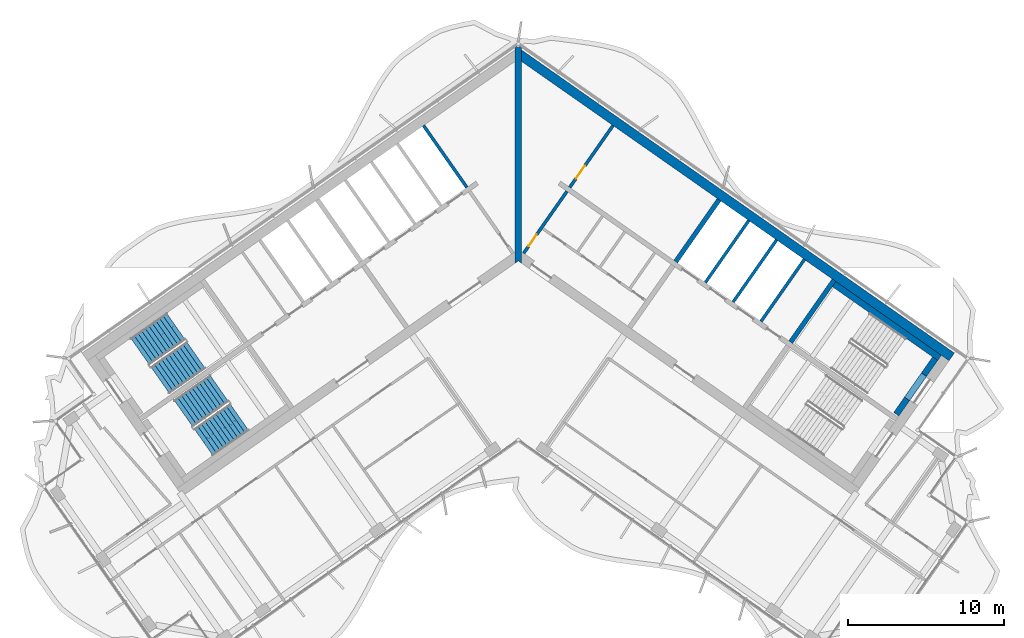
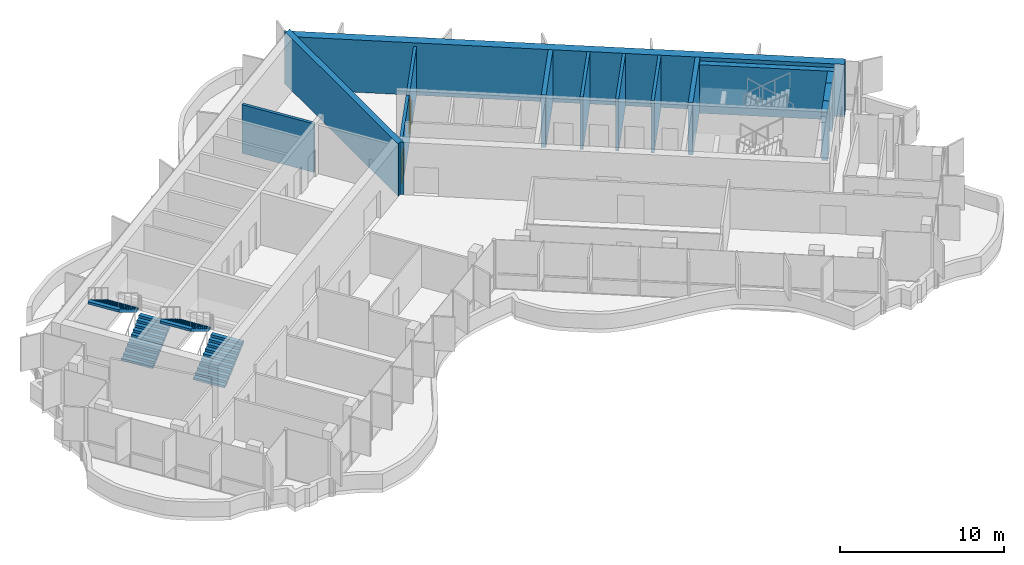
# One storey, part 11 of 18: 14 walls, 4 stair flights, 2 doors, 2 openings, 2 elements without a shape of their own.
"""IFC4 building model written with IfcOpenShell, lengths in metres."""

import ifcopenshell
import ifcopenshell.guid

model = None  # the IFC model being written
_history = None  # IfcOwnerHistory: only IFC2X3 demands one
_inside = {}  # id of a spatial element -> (the spatial element, [elements in it])
_under = {}  # id of a project, library or spatial element -> (it, [spatial elements below it])
_declared = {}  # id of a project -> (the project, [libraries it declares])
_typed = {}  # id of a type object -> (the type object, [elements of that type])
_made_of = {}  # id of a material, layer set ... -> (it, [elements and type objects made of it])


def new_model(schema):
    """Start an empty IFC model of exactly this schema.

    Asked for "IFC4X3", IfcOpenShell would pick the latest addendum, in which some entities
    have other attributes; the version numbers below select the first issue.
    IFC2X3 requires an IfcOwnerHistory on every rooted entity: one is made here for all.
    """
    global model, _history
    if schema == "IFC4X3":
        model = ifcopenshell.file(schema_version=(4, 3, 0, 0))
    else:
        model = ifcopenshell.file(schema=schema)
    _inside.clear()
    _under.clear()
    _declared.clear()
    _typed.clear()
    _made_of.clear()
    _history = None
    if model.schema == "IFC2X3":
        org = make("IfcOrganization", Name="unknown")
        user = make(
            "IfcPersonAndOrganization",
            ThePerson=make("IfcPerson", FamilyName="unknown"),
            TheOrganization=org,
        )
        app = make(
            "IfcApplication",
            ApplicationDeveloper=org,
            Version="unknown",
            ApplicationFullName="unknown",
            ApplicationIdentifier="unknown",
        )
        _history = make(
            "IfcOwnerHistory",
            OwningUser=user,
            OwningApplication=app,
            ChangeAction="ADDED",
            CreationDate=0,
        )
    return model


def make(cls, **values):
    """One entity of the class cls with the attributes given. An attribute that is None is left unset."""
    return model.create_entity(
        cls, **{name: value for name, value in values.items() if value is not None}
    )


def rooted(cls, **values):
    """An entity with a GlobalId (a new one), such as an element, a storey or a relation."""
    return make(cls, GlobalId=ifcopenshell.guid.new(), OwnerHistory=_history, **values)


def si_unit(unit_type, name, prefix=None):
    """IfcSIUnit, for example si_unit("LENGTHUNIT", "METRE", prefix="MILLI")."""
    return make("IfcSIUnit", UnitType=unit_type, Prefix=prefix, Name=name)


def assignment(units):
    """IfcUnitAssignment: the units of a project."""
    return None if units is None else make("IfcUnitAssignment", Units=units)


def point(xyz):
    """IfcCartesianPoint."""
    return None if xyz is None else make("IfcCartesianPoint", Coordinates=xyz)


def direction(xyz):
    """IfcDirection."""
    return None if xyz is None else make("IfcDirection", DirectionRatios=xyz)


def frame(location, z_axis=None, x_axis=None):
    """IfcAxis2Placement3D, a coordinate frame: its origin and axes. An axis left out is left unset."""
    return make(
        "IfcAxis2Placement3D",
        Location=point(location),
        Axis=direction(z_axis),
        RefDirection=direction(x_axis),
    )


def frame_2d(location, x_axis=None):
    """IfcAxis2Placement2D, a coordinate frame in the plane: its origin and x axis."""
    return make(
        "IfcAxis2Placement2D", Location=point(location), RefDirection=direction(x_axis)
    )


def origin():
    """The frame at (0, 0, 0) with its axes left unset."""
    return frame((0.0, 0.0, 0.0))


def place(relative_to, where):
    """IfcLocalPlacement: puts the frame where relative to a parent placement (None: the world)."""
    return make(
        "IfcLocalPlacement", PlacementRelTo=relative_to, RelativePlacement=where
    )


def context(
    kind, dimensions, precision=None, world=None, true_north=None, identifier=None
):
    """IfcGeometricRepresentationContext, for example the 3D "Model" context."""
    return make(
        "IfcGeometricRepresentationContext",
        ContextIdentifier=identifier,
        ContextType=kind,
        CoordinateSpaceDimension=dimensions,
        Precision=precision,
        WorldCoordinateSystem=world,
        TrueNorth=true_north,
    )


def subcontext(parent, identifier, kind, view, scale=None):
    """IfcGeometricRepresentationSubContext, for example "Body" below "Model"."""
    return make(
        "IfcGeometricRepresentationSubContext",
        ContextIdentifier=identifier,
        ContextType=kind,
        ParentContext=parent,
        TargetScale=scale,
        TargetView=view,
    )


def project(units=None, contexts=None):
    """IfcProject with its units and contexts."""
    return rooted(
        "IfcProject",
        Name="project",
        RepresentationContexts=contexts,
        UnitsInContext=assignment(units),
    )


def spatial(cls, under=None, at=None, **own):
    """A site, building, storey or space (cls), placed at a placement, below another one or the project."""
    s = rooted(cls, ObjectPlacement=at, **own)
    if under is not None:
        _under.setdefault(under.id(), (under, []))[1].append(s)
    return s


def polyline(points):
    """IfcPolyline through the points."""
    return make("IfcPolyline", Points=[point(p) for p in points])


def profile(cls, at=None, kind="AREA", **sizes):
    """A parametric profile (cls). Its sizes go by their IFC names, for example OverallWidth=200.0."""
    return make(cls, ProfileType=kind, Position=at, **sizes)


def rectangle(**sizes):
    """IfcRectangleProfileDef."""
    return profile("IfcRectangleProfileDef", **sizes)


def outline(outer, holes=None, kind="AREA"):
    """IfcArbitraryClosedProfileDef: a profile drawn as a closed curve; with holes, ...WithVoids."""
    if holes is None:
        return make("IfcArbitraryClosedProfileDef", ProfileType=kind, OuterCurve=outer)
    return make(
        "IfcArbitraryProfileDefWithVoids",
        ProfileType=kind,
        OuterCurve=outer,
        InnerCurves=holes,
    )


def extrude(swept, where, along, depth):
    """IfcExtrudedAreaSolid: the profile swept, set in the frame where, extruded along a direction by depth."""
    return make(
        "IfcExtrudedAreaSolid",
        SweptArea=swept,
        Position=where,
        ExtrudedDirection=direction(along),
        Depth=depth,
    )


def shape(context_of_items, identifier, shape_type, items):
    """IfcShapeRepresentation: the items that make up one representation, for example the "Body"."""
    return make(
        "IfcShapeRepresentation",
        ContextOfItems=context_of_items,
        RepresentationIdentifier=identifier,
        RepresentationType=shape_type,
        Items=items,
    )


def material(Name=None, Category=None):
    """IfcMaterial."""
    return make("IfcMaterial", Name=Name, Category=Category)


def layer(
    of_material, thickness, ventilated=None, Name=None, Category=None, Priority=None
):
    """IfcMaterialLayer: one layer of a wall or slab, of a material (None: an air gap)."""
    return make(
        "IfcMaterialLayer",
        Material=of_material,
        LayerThickness=thickness,
        IsVentilated=ventilated,
        Name=Name,
        Category=Category,
        Priority=Priority,
    )


def layer_set(layers, Name=None):
    """IfcMaterialLayerSet."""
    return make("IfcMaterialLayerSet", MaterialLayers=layers, LayerSetName=Name)


def made_of(thing, what):
    """Note that an element or type object is made of a material, layer set ...; save() writes the relation."""
    if what is not None:
        _made_of.setdefault(what.id(), (what, []))[1].append(thing)
    return thing


def type_object(cls, material=None, **own):
    """A type object (cls), such as IfcWallType, which elements share."""
    return made_of(rooted(cls, **own), material)


def element(
    cls,
    number,
    at=None,
    inside=None,
    cuts=None,
    type_object=None,
    material=None,
    context=None,
    identifier="Body",
    shape_type=None,
    held_by="IfcProductDefinitionShape",
    body=None,
    shapes=None,
    **own,
):
    """One element of the class cls, such as IfcWall. Its Tag is "e" and its number.

    at: its placement. inside: the storey or other place that contains it. cuts: it is an
    opening in that element (IfcRelVoidsElement). A single representation is given by context,
    identifier, shape_type and body (its items); several are given by shapes. held_by: the class
    of the entity that holds the representations. save() writes the other relations.
    """
    e = rooted(cls, Tag="e%d" % number, ObjectPlacement=at, **own)
    if body is not None:
        shapes = [shape(context, identifier, shape_type, body)]
    if shapes is not None:
        e.Representation = make(held_by, Representations=shapes)
    if inside is not None:
        _inside.setdefault(inside.id(), (inside, []))[1].append(e)
    if cuts is not None:
        rooted(
            "IfcRelVoidsElement", RelatingBuildingElement=cuts, RelatedOpeningElement=e
        )
    if type_object is not None:
        _typed.setdefault(type_object.id(), (type_object, []))[1].append(e)
    return made_of(e, material)


def fill(opening, filler):
    """IfcRelFillsElement: the door or window that sits in an opening."""
    return rooted(
        "IfcRelFillsElement",
        RelatingOpeningElement=opening,
        RelatedBuildingElement=filler,
    )


def aggregate(whole, parts):
    """IfcRelAggregates: a whole, such as a stair, and the parts it consists of."""
    return rooted("IfcRelAggregates", RelatingObject=whole, RelatedObjects=parts)


def save(model, path):
    """Write the relations noted so far, then the file.

    IfcRelAggregates (storeys below a building ...), IfcRelContainedInSpatialStructure (elements
    in a storey), IfcRelDefinesByType, IfcRelAssociatesMaterial and IfcRelDeclares: one each for
    every whole, place, type object, material and project.
    """
    for whole, parts in _under.values():
        aggregate(whole, parts)
    for where, things in _inside.values():
        rooted(
            "IfcRelContainedInSpatialStructure",
            RelatedElements=things,
            RelatingStructure=where,
        )
    for kind, things in _typed.values():
        rooted("IfcRelDefinesByType", RelatedObjects=things, RelatingType=kind)
    for what, things in _made_of.values():
        rooted("IfcRelAssociatesMaterial", RelatedObjects=things, RelatingMaterial=what)
    for by, libraries in _declared.values():
        rooted("IfcRelDeclares", RelatingContext=by, RelatedDefinitions=libraries)
    model.write(path)


model = new_model("IFC4")

# Units and contexts
model_context = context("Model", 3, precision=1e-05, world=origin(), true_north=direction((0.0, 1.0)))
body_context = subcontext(model_context, "Body", "Model", "MODEL_VIEW")
ifc_project = project(units=[si_unit("LENGTHUNIT", "METRE"), si_unit("AREAUNIT", "SQUARE_METRE"), si_unit("VOLUMEUNIT", "CUBIC_METRE"), si_unit("PLANEANGLEUNIT", "RADIAN"), si_unit("MASSUNIT", "GRAM", prefix="KILO")], contexts=[model_context])

# Site, building, storey
site_placement = place(None, origin())
site = spatial("IfcSite", under=ifc_project, at=site_placement, CompositionType="ELEMENT")
building_placement = place(site_placement, origin())
building = spatial("IfcBuilding", under=site, at=building_placement, Name="Tel Ilan Convention Tower", CompositionType="ELEMENT")
storey_placement = place(building_placement, frame((0.0, 0.0, 299.5)))
storey = spatial("IfcBuildingStorey", under=building, at=storey_placement, Name="L71", CompositionType="ELEMENT", Elevation=299.5)

# Wall
ifc_material_1 = material(Name="Concrete C30/37", Category="concrete")
ifc_layer_1 = layer(ifc_material_1, 0.199951171875)
ifc_layer_set_1 = layer_set([ifc_layer_1], Name="Core Service Room Wall 200 mm C30/37")
wall_type_1 = type_object("IfcWallType", Name="Core Service Room Wall 200 mm C30/37", PredefinedType="SOLIDWALL", material=ifc_layer_set_1)
wall_1_placement = place(storey_placement, frame((-3.2978515625, 3.489501953125, 0.0), z_axis=(0.0, 0.0, 1.0), x_axis=(-0.573560315113, 0.819163332265, 0.0)))
element("IfcWall", 1, at=wall_1_placement, inside=storey, type_object=wall_type_1, Name="L71 core wall apex-W-b", PredefinedType="SOLIDWALL", context=body_context, shape_type="SweptSolid", body=[
    extrude(rectangle(XDim=4.849853515625, YDim=0.199951171875, at=frame_2d((2.4248046875, 0.0))), origin(), (0.0, 0.0, 1.0), 3.6201171875),
])

# Wall, opening, door
wall_2_placement = place(storey_placement, frame((0.343994140625, -0.729248046875, 0.0), z_axis=(0.0, 0.0, 1.0), x_axis=(0.573560315113, 0.819163332265, 0.0)))
wall_2 = element("IfcWall", 2, at=wall_2_placement, inside=storey, type_object=wall_type_1, Name="L71 core wall apex-E", PredefinedType="SOLIDWALL", context=body_context, shape_type="SweptSolid", body=[
    extrude(rectangle(XDim=4.849853515625, YDim=0.199951171875, at=frame_2d((2.4248046875, 0.0))), origin(), (0.0, 0.0, 1.0), 3.6201171875),
])
opening_1_placement = place(wall_2_placement, frame((0.550048828125, 0.0, 0.0)))
opening_1 = element("IfcOpeningElement", 3, at=opening_1_placement, cuts=wall_2, Name="Opening CD5401", PredefinedType="OPENING", context=body_context, shape_type="SweptSolid", body=[
    extrude(rectangle(XDim=0.89990234375, YDim=2.10009765625, at=frame_2d((0.449951171875, 1.050048828125))), frame((0.0, 0.10986328125, 0.0), z_axis=(0.0, -1.0, 0.0), x_axis=(1.0, 0.0, 0.0)), (0.0, 0.0, 1.0), 0.219970703125),
])
ifc_material_2 = material(Name="Galvanised Steel Door Leaf", Category="steel")
door_type_1 = type_object("IfcDoorType", Name="Service Room Door 900 x 2100 FD60", OperationType="NOTDEFINED", PredefinedType="DOOR", material=ifc_material_2)
door_1_placement = place(opening_1_placement, origin())
door_1 = element("IfcDoor", 4, at=door_1_placement, inside=storey, type_object=door_type_1, Name="Data Room door", OperationType="SINGLE_SWING_RIGHT", OverallHeight=2.10009765625, OverallWidth=0.89990234375, PredefinedType="DOOR", context=body_context, shape_type="SweptSolid", body=[
    extrude(rectangle(XDim=0.89990234375, YDim=2.10009765625, at=frame_2d((0.449951171875, 1.050048828125))), frame((0.0, 0.02490234375, 0.0), z_axis=(0.0, -1.0, 0.0), x_axis=(1.0, 0.0, 0.0)), (0.0, 0.0, 1.0), 0.050048828125),
])
fill(opening_1, door_1)

wall_3_placement = place(storey_placement, frame((3.2978515625, 3.489501953125, 0.0), z_axis=(0.0, 0.0, 1.0), x_axis=(0.573560315113, 0.819163332265, 0.0)))
wall_3 = element("IfcWall", 5, at=wall_3_placement, inside=storey, type_object=wall_type_1, Name="L71 core wall apex-E-b", PredefinedType="SOLIDWALL", context=body_context, shape_type="SweptSolid", body=[
    extrude(rectangle(XDim=4.849853515625, YDim=0.199951171875, at=frame_2d((2.4248046875, 0.0))), origin(), (0.0, 0.0, 1.0), 3.6201171875),
])
opening_2_placement = place(wall_3_placement, frame((0.699951171875, 0.0, 0.0)))
opening_2 = element("IfcOpeningElement", 6, at=opening_2_placement, cuts=wall_3, Name="Opening CD5403", PredefinedType="OPENING", context=body_context, shape_type="SweptSolid", body=[
    extrude(rectangle(XDim=1.0, YDim=2.10009765625, at=frame_2d((0.5, 1.050048828125))), frame((0.0, 0.10986328125, 0.0), z_axis=(0.0, -1.0, 0.0), x_axis=(1.0, 0.0, 0.0)), (0.0, 0.0, 1.0), 0.219970703125),
])
ifc_material_3 = material(Name="Galvanised Steel Door Leaf", Category="steel")
door_type_2 = type_object("IfcDoorType", Name="Service Room Door 1000 x 2100 FD60", OperationType="NOTDEFINED", PredefinedType="DOOR", material=ifc_material_3)
door_2_placement = place(opening_2_placement, origin())
door_2 = element("IfcDoor", 7, at=door_2_placement, inside=storey, type_object=door_type_2, Name="Plant Room door", OperationType="SINGLE_SWING_RIGHT", OverallHeight=2.10009765625, OverallWidth=1.0, PredefinedType="DOOR", context=body_context, shape_type="SweptSolid", body=[
    extrude(rectangle(XDim=1.0, YDim=2.10009765625, at=frame_2d((0.5, 1.050048828125))), frame((0.0, 0.02490234375, 0.0), z_axis=(0.0, -1.0, 0.0), x_axis=(1.0, 0.0, 0.0)), (0.0, 0.0, 1.0), 0.050048828125),
])
fill(opening_2, door_2)

# Walls
ifc_material_4 = material(Name="Concrete C40/50", Category="concrete")
ifc_layer_2 = layer(ifc_material_4, 0.300048828125)
ifc_layer_set_2 = layer_set([ifc_layer_2], Name="Core Shear Wall 300 mm C40/50")
wall_type_2 = type_object("IfcWallType", Name="Core Shear Wall 300 mm C40/50", PredefinedType="SHEAR", material=ifc_layer_set_2)
wall_4_placement = place(storey_placement, frame((10.096923828125, -1.271240234375, 0.0), z_axis=(0.0, 0.0, 1.0), x_axis=(0.573560315113, 0.819163332265, 0.0)))
element("IfcWall", 8, at=wall_4_placement, inside=storey, type_object=wall_type_2, Name="L71 core wall E-cross1-2", PredefinedType="SHEAR", context=body_context, shape_type="SweptSolid", body=[
    extrude(outline(polyline([(4.849853515625, -0.150146484375), (4.849853515625, 0.14990234375), (0.0, 0.150146484375), (0.0, -0.14990234375), (4.849853515625, -0.150146484375)])), origin(), (0.0, 0.0, 1.0), 3.89990234375),
])
wall_5_placement = place(storey_placement, frame((17.46923828125, -6.433349609375, 0.0), z_axis=(0.0, 0.0, 1.0), x_axis=(0.573594092424, 0.81913968109, 0.0)))
element("IfcWall", 9, at=wall_5_placement, inside=storey, type_object=wall_type_2, Name="L71 core wall E-cross2-2", PredefinedType="SHEAR", context=body_context, shape_type="SweptSolid", body=[
    extrude(outline(polyline([(4.849853515625, -0.14990234375), (4.849853515625, 0.150146484375), (0.0, 0.14990234375), (0.0, -0.14990234375), (4.849853515625, -0.14990234375)])), origin(), (0.0, 0.0, 1.0), 3.89990234375),
])
ifc_material_5 = material(Name="Concrete C40/50", Category="concrete")
ifc_layer_3 = layer(ifc_material_5, 0.39990234375)
ifc_layer_set_3 = layer_set([ifc_layer_3], Name="Core Shear Wall 400 mm C40/50")
wall_type_3 = type_object("IfcWallType", Name="Core Shear Wall 400 mm C40/50", PredefinedType="SHEAR", material=ifc_layer_set_3)
wall_6_placement = place(storey_placement, frame((0.0, -1.36083984375, 0.0), z_axis=(0.0, 0.0, 1.0), x_axis=(0.0, 1.0, 0.0)))
element("IfcWall", 10, at=wall_6_placement, inside=storey, type_object=wall_type_3, Name="L71 core wall K-central", PredefinedType="SHEAR", context=body_context, shape_type="SweptSolid", body=[
    extrude(outline(polyline([(0.14013671875, 0.199951171875), (0.0, 0.199951171875), (0.14013671875, 0.0), (0.0, -0.199951171875), (0.14013671875, -0.199951171875), (1.012451171875, -0.199951171875), (12.940185546875, -0.199951171875), (13.812744140625, -0.199951171875), (13.893310546875, -0.199951171875), (13.933349609375, -0.172119140625), (13.812744140625, 0.0), (13.933349609375, 0.172119140625), (13.893310546875, 0.199951171875), (13.812744140625, 0.199951171875), (12.940185546875, 0.199951171875), (1.012451171875, 0.199951171875), (0.14013671875, 0.199951171875)])), origin(), (0.0, 0.0, 1.0), 3.89990234375),
])
ifc_material_6 = material(Name="Concrete C40/50", Category="concrete")
ifc_layer_4 = layer(ifc_material_6, 0.60009765625)
ifc_layer_set_4 = layer_set([ifc_layer_4], Name="Core Shear Wall 600 mm C40/50")
wall_type_4 = type_object("IfcWallType", Name="Core Shear Wall 600 mm C40/50", PredefinedType="SHEAR", material=ifc_layer_set_4)
wall_7_placement = place(storey_placement, frame((0.02783203125, 12.066162109375, 0.0), z_axis=(0.0, 0.0, 1.0), x_axis=(0.819151382952, -0.573577380837, 0.0)))
element("IfcWall", 11, at=wall_7_placement, inside=storey, type_object=wall_type_4, Name="L71 core wall E-back", PredefinedType="SHEAR", context=body_context, shape_type="SweptSolid", body=[
    extrude(outline(polyline([(33.898193359375, 0.300048828125), (0.0, 0.300048828125), (0.420166015625, -0.300048828125), (33.89794921875, -0.300048828125), (33.898193359375, 0.300048828125)])), origin(), (0.0, 0.0, 1.0), 3.89990234375),
])
ifc_material_7 = material(Name="Concrete C30/37", Category="concrete")
ifc_layer_5 = layer(ifc_material_7, 0.199951171875)
ifc_layer_set_5 = layer_set([ifc_layer_5], Name="Lift Shaft Wall 200 mm C30/37")
wall_type_5 = type_object("IfcWallType", Name="Lift Shaft Wall 200 mm C30/37", PredefinedType="SOLIDWALL", material=ifc_layer_set_5)
wall_8_placement = place(storey_placement, frame((12.00146484375, -2.604736328125, 0.0), z_axis=(0.0, 0.0, 1.0), x_axis=(0.573560315113, 0.819163332265, 0.0)))
element("IfcWall", 12, at=wall_8_placement, inside=storey, type_object=wall_type_5, Name="L71 core wall bank-E2-p0", PredefinedType="SOLIDWALL", context=body_context, shape_type="SweptSolid", body=[
    extrude(rectangle(XDim=4.849853515625, YDim=0.199951171875, at=frame_2d((2.4248046875, 0.0))), origin(), (0.0, 0.0, 1.0), 3.89990234375),
])
wall_9_placement = place(storey_placement, frame((13.782958984375, -3.852294921875, 0.0), z_axis=(0.0, 0.0, 1.0), x_axis=(0.573594092424, 0.81913968109, 0.0)))
element("IfcWall", 13, at=wall_9_placement, inside=storey, type_object=wall_type_5, Name="L71 core wall bank-E2-p1", PredefinedType="SOLIDWALL", context=body_context, shape_type="SweptSolid", body=[
    extrude(rectangle(XDim=4.85009765625, YDim=0.199951171875, at=frame_2d((2.425048828125, 0.0))), origin(), (0.0, 0.0, 1.0), 3.89990234375),
])
wall_10_placement = place(storey_placement, frame((15.564697265625, -5.099853515625, 0.0), z_axis=(0.0, 0.0, 1.0), x_axis=(0.573560315113, 0.819163332265, 0.0)))
element("IfcWall", 14, at=wall_10_placement, inside=storey, type_object=wall_type_5, Name="L71 core wall bank-E2-p2", PredefinedType="SOLIDWALL", context=body_context, shape_type="SweptSolid", body=[
    extrude(rectangle(XDim=4.849853515625, YDim=0.199951171875, at=frame_2d((2.4248046875, 0.0))), origin(), (0.0, 0.0, 1.0), 3.89990234375),
])
ifc_material_8 = material(Name="Concrete C30/37", Category="concrete")
ifc_layer_6 = layer(ifc_material_8, 0.39990234375)
ifc_layer_set_6 = layer_set([ifc_layer_6], Name="Stair and Shaft Lining Wall 400 mm C30/37")
wall_type_6 = type_object("IfcWallType", Name="Stair and Shaft Lining Wall 400 mm C30/37", PredefinedType="SOLIDWALL", material=ifc_layer_set_6)
wall_11_placement = place(storey_placement, frame((20.25927734375, -2.71044921875, 0.0), z_axis=(0.0, 0.0, 1.0), x_axis=(0.81914849389, -0.573581506813, 0.0)))
element("IfcWall", 15, at=wall_11_placement, inside=storey, type_object=wall_type_6, Name="L71 core wall lining-S3-t1", PredefinedType="SOLIDWALL", context=body_context, shape_type="SweptSolid", body=[
    extrude(rectangle(XDim=8.249755859375, YDim=0.39990234375, at=frame_2d((4.125, 0.0))), origin(), (0.0, 0.0, 1.0), 3.6201171875),
])
wall_12_placement = place(storey_placement, frame((24.24365234375, -11.0546875, 0.0), z_axis=(0.0, 0.0, 1.0), x_axis=(0.573571582932, 0.819155442668, 0.0)))
element("IfcWall", 16, at=wall_12_placement, inside=storey, type_object=wall_type_6, Name="L71 core wall lining-S3-u1-0", PredefinedType="SOLIDWALL", context=body_context, shape_type="SweptSolid", body=[
    extrude(rectangle(XDim=1.199951171875, YDim=0.39990234375, at=frame_2d((0.60009765625, 0.0))), origin(), (0.0, 0.0, 1.0), 3.6201171875),
])
wall_13_placement = place(storey_placement, frame((26.021728515625, -8.515380859375, 0.0), z_axis=(0.0, 0.0, 1.0), x_axis=(0.573619628835, 0.819121798889, 0.0)))
element("IfcWall", 17, at=wall_13_placement, inside=storey, type_object=wall_type_6, Name="L71 core wall lining-S3-u1-1", PredefinedType="SOLIDWALL", context=body_context, shape_type="SweptSolid", body=[
    extrude(rectangle(XDim=1.25, YDim=0.39990234375, at=frame_2d((0.625, 0.0))), origin(), (0.0, 0.0, 1.0), 3.6201171875),
])
wall_14_placement = place(storey_placement, frame((24.931884765625, -10.07177734375, 2.14990234375), z_axis=(0.0, 0.0, 1.0), x_axis=(0.573591692345, 0.819141361715, 0.0)))
element("IfcWall", 18, at=wall_14_placement, inside=storey, type_object=wall_type_6, Name="L71 core wall lining-S3-u1-lintel", PredefinedType="SOLIDWALL", context=body_context, shape_type="SweptSolid", body=[
    extrude(rectangle(XDim=1.900146484375, YDim=0.39990234375, at=frame_2d((0.9501953125, 0.0))), origin(), (0.0, 0.0, 1.0), 1.47021484375),
])

# Stair, stair flights
ifc_material_9 = material(Name="Concrete C40/50", Category="concrete")
stair_type = type_object("IfcStairType", Name="Pressurised Exit Stair 22 risers 177 mm", PredefinedType="HALF_TURN_STAIR", material=ifc_material_9)
stair_1_placement = place(storey_placement, origin())
stair_1 = element("IfcStair", 19, at=stair_1_placement, inside=storey, type_object=stair_type, Name="L71 Pressurised Stair S1", PredefinedType="HALF_TURN_STAIR")
ifc_material_10 = material(Name="Precast Concrete C40/50", Category="concrete")
stair_flight_type = type_object("IfcStairFlightType", Name="Concrete Stair Flight 2100 mm 22 risers 177 mm", PredefinedType="STRAIGHT", material=ifc_material_10)
stair_flight_1_placement = place(storey_placement, frame((-22.9619140625, -8.87548828125, 0.0), z_axis=(0.0, 0.0, 1.0), x_axis=(0.819152044289, 0.573576436351, 0.0)))
stair_flight_1 = element("IfcStairFlight", 20, at=stair_flight_1_placement, type_object=stair_flight_type, Name="S1 flight 1", NumberOfRisers=11, NumberOfTreads=10, PredefinedType="STRAIGHT", RiserHeight=0.177272727, TreadLength=0.28, context=body_context, shape_type="SweptSolid", body=[
    extrude(outline(polyline([(0.0, 0.0), (0.0, 0.17724609375), (0.280029296875, 0.17724609375), (0.280029296875, 0.3544921875), (0.56005859375, 0.3544921875), (0.56005859375, 0.53173828125), (0.840087890625, 0.53173828125), (0.840087890625, 0.708984375), (1.1201171875, 0.708984375), (1.1201171875, 0.886474609375), (1.39990234375, 0.886474609375), (1.39990234375, 1.063720703125), (1.679931640625, 1.063720703125), (1.679931640625, 1.240966796875), (1.9599609375, 1.240966796875), (1.9599609375, 1.418212890625), (2.239990234375, 1.418212890625), (2.239990234375, 1.595458984375), (2.52001953125, 1.595458984375), (2.52001953125, 1.772705078125), (2.800048828125, 1.772705078125), (2.800048828125, 1.949951171875), (2.800048828125, 1.59521484375), (0.2802734375, 0.0), (0.0, 0.0)])), frame((0.0, -0.100341796875, 0.0), z_axis=(0.0, -1.0, 0.0), x_axis=(1.0, 0.0, 0.0)), (0.0, 0.0, 1.0), 0.94970703125),
    extrude(outline(polyline([(0.0, 0.0), (0.0, 0.17724609375), (0.280029296875, 0.17724609375), (0.280029296875, 0.3544921875), (0.56005859375, 0.3544921875), (0.56005859375, 0.53173828125), (0.840087890625, 0.53173828125), (0.840087890625, 0.708984375), (1.1201171875, 0.708984375), (1.1201171875, 0.886474609375), (1.39990234375, 0.886474609375), (1.39990234375, 1.063720703125), (1.679931640625, 1.063720703125), (1.679931640625, 1.240966796875), (1.9599609375, 1.240966796875), (1.9599609375, 1.418212890625), (2.239990234375, 1.418212890625), (2.239990234375, 1.595458984375), (2.52001953125, 1.595458984375), (2.52001953125, 1.772705078125), (2.800048828125, 1.772705078125), (2.800048828125, 1.949951171875), (2.800048828125, 1.59521484375), (0.2802734375, 0.0), (0.0, 0.0)])), frame((0.0, -0.000244140625, 0.0), z_axis=(0.0, -1.0, 0.0), x_axis=(1.0, 0.0, 0.0)), (0.0, 0.0, 1.0), 0.099609375),
    extrude(outline(polyline([(0.0, 0.0), (0.0, 0.17724609375), (0.280029296875, 0.17724609375), (0.280029296875, 0.3544921875), (0.56005859375, 0.3544921875), (0.56005859375, 0.53173828125), (0.840087890625, 0.53173828125), (0.840087890625, 0.708984375), (1.1201171875, 0.708984375), (1.1201171875, 0.886474609375), (1.39990234375, 0.886474609375), (1.39990234375, 1.063720703125), (1.679931640625, 1.063720703125), (1.679931640625, 1.240966796875), (1.9599609375, 1.240966796875), (1.9599609375, 1.418212890625), (2.239990234375, 1.418212890625), (2.239990234375, 1.595458984375), (2.52001953125, 1.595458984375), (2.52001953125, 1.772705078125), (2.800048828125, 1.772705078125), (2.800048828125, 1.949951171875), (2.800048828125, 1.59521484375), (0.2802734375, 0.0), (0.0, 0.0)])), frame((0.0, 0.099853515625, 0.0), z_axis=(0.0, -1.0, 0.0), x_axis=(1.0, 0.0, 0.0)), (0.0, 0.0, 1.0), 0.099609375),
    extrude(outline(polyline([(0.0, 0.0), (0.0, 0.17724609375), (0.280029296875, 0.17724609375), (0.280029296875, 0.3544921875), (0.56005859375, 0.3544921875), (0.56005859375, 0.53173828125), (0.840087890625, 0.53173828125), (0.840087890625, 0.708984375), (1.1201171875, 0.708984375), (1.1201171875, 0.886474609375), (1.39990234375, 0.886474609375), (1.39990234375, 1.063720703125), (1.679931640625, 1.063720703125), (1.679931640625, 1.240966796875), (1.9599609375, 1.240966796875), (1.9599609375, 1.418212890625), (2.239990234375, 1.418212890625), (2.239990234375, 1.595458984375), (2.52001953125, 1.595458984375), (2.52001953125, 1.772705078125), (2.800048828125, 1.772705078125), (2.800048828125, 1.949951171875), (2.800048828125, 1.59521484375), (0.2802734375, 0.0), (0.0, 0.0)])), frame((0.0, 1.050048828125, 0.0), z_axis=(0.0, -1.0, 0.0), x_axis=(1.0, 0.0, 0.0)), (0.0, 0.0, 1.0), 0.94970703125),
])
stair_flight_2_placement = place(storey_placement, frame((-21.958740234375, -5.42626953125, 1.949951171875), z_axis=(0.0, 0.0, 1.0), x_axis=(-0.819152044289, -0.573576436351, 0.0)))
stair_flight_2 = element("IfcStairFlight", 21, at=stair_flight_2_placement, type_object=stair_flight_type, Name="S1 flight 2", NumberOfRisers=11, NumberOfTreads=10, PredefinedType="STRAIGHT", RiserHeight=0.177272727, TreadLength=0.28, context=body_context, shape_type="SweptSolid", body=[
    extrude(outline(polyline([(0.0, 0.0), (0.0, 0.17724609375), (0.280029296875, 0.17724609375), (0.280029296875, 0.3544921875), (0.56005859375, 0.3544921875), (0.56005859375, 0.53173828125), (0.840087890625, 0.53173828125), (0.840087890625, 0.708984375), (1.1201171875, 0.708984375), (1.1201171875, 0.886474609375), (1.39990234375, 0.886474609375), (1.39990234375, 1.063720703125), (1.679931640625, 1.063720703125), (1.679931640625, 1.240966796875), (1.9599609375, 1.240966796875), (1.9599609375, 1.418212890625), (2.239990234375, 1.418212890625), (2.239990234375, 1.595458984375), (2.52001953125, 1.595458984375), (2.52001953125, 1.772705078125), (2.800048828125, 1.772705078125), (2.800048828125, 1.949951171875), (2.800048828125, 1.59521484375), (0.2802734375, 0.0), (0.0, 0.0)])), frame((0.0, -0.100341796875, 0.0), z_axis=(0.0, -1.0, 0.0), x_axis=(1.0, 0.0, 0.0)), (0.0, 0.0, 1.0), 0.94970703125),
    extrude(outline(polyline([(0.0, 0.0), (0.0, 0.17724609375), (0.280029296875, 0.17724609375), (0.280029296875, 0.3544921875), (0.56005859375, 0.3544921875), (0.56005859375, 0.53173828125), (0.840087890625, 0.53173828125), (0.840087890625, 0.708984375), (1.1201171875, 0.708984375), (1.1201171875, 0.886474609375), (1.39990234375, 0.886474609375), (1.39990234375, 1.063720703125), (1.679931640625, 1.063720703125), (1.679931640625, 1.240966796875), (1.9599609375, 1.240966796875), (1.9599609375, 1.418212890625), (2.239990234375, 1.418212890625), (2.239990234375, 1.595458984375), (2.52001953125, 1.595458984375), (2.52001953125, 1.772705078125), (2.800048828125, 1.772705078125), (2.800048828125, 1.949951171875), (2.800048828125, 1.59521484375), (0.2802734375, 0.0), (0.0, 0.0)])), frame((0.0, -0.000244140625, 0.0), z_axis=(0.0, -1.0, 0.0), x_axis=(1.0, 0.0, 0.0)), (0.0, 0.0, 1.0), 0.099609375),
    extrude(outline(polyline([(0.0, 0.0), (0.0, 0.17724609375), (0.280029296875, 0.17724609375), (0.280029296875, 0.3544921875), (0.56005859375, 0.3544921875), (0.56005859375, 0.53173828125), (0.840087890625, 0.53173828125), (0.840087890625, 0.708984375), (1.1201171875, 0.708984375), (1.1201171875, 0.886474609375), (1.39990234375, 0.886474609375), (1.39990234375, 1.063720703125), (1.679931640625, 1.063720703125), (1.679931640625, 1.240966796875), (1.9599609375, 1.240966796875), (1.9599609375, 1.418212890625), (2.239990234375, 1.418212890625), (2.239990234375, 1.595458984375), (2.52001953125, 1.595458984375), (2.52001953125, 1.772705078125), (2.800048828125, 1.772705078125), (2.800048828125, 1.949951171875), (2.800048828125, 1.59521484375), (0.2802734375, 0.0), (0.0, 0.0)])), frame((0.0, 0.099853515625, 0.0), z_axis=(0.0, -1.0, 0.0), x_axis=(1.0, 0.0, 0.0)), (0.0, 0.0, 1.0), 0.099609375),
    extrude(outline(polyline([(0.0, 0.0), (0.0, 0.17724609375), (0.280029296875, 0.17724609375), (0.280029296875, 0.3544921875), (0.56005859375, 0.3544921875), (0.56005859375, 0.53173828125), (0.840087890625, 0.53173828125), (0.840087890625, 0.708984375), (1.1201171875, 0.708984375), (1.1201171875, 0.886474609375), (1.39990234375, 0.886474609375), (1.39990234375, 1.063720703125), (1.679931640625, 1.063720703125), (1.679931640625, 1.240966796875), (1.9599609375, 1.240966796875), (1.9599609375, 1.418212890625), (2.239990234375, 1.418212890625), (2.239990234375, 1.595458984375), (2.52001953125, 1.595458984375), (2.52001953125, 1.772705078125), (2.800048828125, 1.772705078125), (2.800048828125, 1.949951171875), (2.800048828125, 1.59521484375), (0.2802734375, 0.0), (0.0, 0.0)])), frame((0.0, 1.050048828125, 0.0), z_axis=(0.0, -1.0, 0.0), x_axis=(1.0, 0.0, 0.0)), (0.0, 0.0, 1.0), 0.94970703125),
])
aggregate(stair_1, [stair_flight_1, stair_flight_2])

stair_2_placement = place(storey_placement, origin())
stair_2 = element("IfcStair", 22, at=stair_2_placement, inside=storey, type_object=stair_type, Name="L71 Pressurised Stair S2", PredefinedType="HALF_TURN_STAIR")
stair_flight_3_placement = place(storey_placement, frame((-20.179931640625, -12.848388671875, 0.0), z_axis=(0.0, 0.0, 1.0), x_axis=(0.819152044289, 0.573576436351, 0.0)))
stair_flight_3 = element("IfcStairFlight", 23, at=stair_flight_3_placement, type_object=stair_flight_type, Name="S2 flight 1", NumberOfRisers=11, NumberOfTreads=10, PredefinedType="STRAIGHT", RiserHeight=0.177272727, TreadLength=0.28, context=body_context, shape_type="SweptSolid", body=[
    extrude(outline(polyline([(0.0, 0.0), (0.0, 0.17724609375), (0.280029296875, 0.17724609375), (0.280029296875, 0.3544921875), (0.56005859375, 0.3544921875), (0.56005859375, 0.53173828125), (0.840087890625, 0.53173828125), (0.840087890625, 0.708984375), (1.1201171875, 0.708984375), (1.1201171875, 0.886474609375), (1.39990234375, 0.886474609375), (1.39990234375, 1.063720703125), (1.679931640625, 1.063720703125), (1.679931640625, 1.240966796875), (1.9599609375, 1.240966796875), (1.9599609375, 1.418212890625), (2.239990234375, 1.418212890625), (2.239990234375, 1.595458984375), (2.52001953125, 1.595458984375), (2.52001953125, 1.772705078125), (2.800048828125, 1.772705078125), (2.800048828125, 1.949951171875), (2.800048828125, 1.59521484375), (0.2802734375, 0.0), (0.0, 0.0)])), frame((0.0, -0.100341796875, 0.0), z_axis=(0.0, -1.0, 0.0), x_axis=(1.0, 0.0, 0.0)), (0.0, 0.0, 1.0), 0.94970703125),
    extrude(outline(polyline([(0.0, 0.0), (0.0, 0.17724609375), (0.280029296875, 0.17724609375), (0.280029296875, 0.3544921875), (0.56005859375, 0.3544921875), (0.56005859375, 0.53173828125), (0.840087890625, 0.53173828125), (0.840087890625, 0.708984375), (1.1201171875, 0.708984375), (1.1201171875, 0.886474609375), (1.39990234375, 0.886474609375), (1.39990234375, 1.063720703125), (1.679931640625, 1.063720703125), (1.679931640625, 1.240966796875), (1.9599609375, 1.240966796875), (1.9599609375, 1.418212890625), (2.239990234375, 1.418212890625), (2.239990234375, 1.595458984375), (2.52001953125, 1.595458984375), (2.52001953125, 1.772705078125), (2.800048828125, 1.772705078125), (2.800048828125, 1.949951171875), (2.800048828125, 1.59521484375), (0.2802734375, 0.0), (0.0, 0.0)])), frame((0.0, -0.000244140625, 0.0), z_axis=(0.0, -1.0, 0.0), x_axis=(1.0, 0.0, 0.0)), (0.0, 0.0, 1.0), 0.099609375),
    extrude(outline(polyline([(0.0, 0.0), (0.0, 0.17724609375), (0.280029296875, 0.17724609375), (0.280029296875, 0.3544921875), (0.56005859375, 0.3544921875), (0.56005859375, 0.53173828125), (0.840087890625, 0.53173828125), (0.840087890625, 0.708984375), (1.1201171875, 0.708984375), (1.1201171875, 0.886474609375), (1.39990234375, 0.886474609375), (1.39990234375, 1.063720703125), (1.679931640625, 1.063720703125), (1.679931640625, 1.240966796875), (1.9599609375, 1.240966796875), (1.9599609375, 1.418212890625), (2.239990234375, 1.418212890625), (2.239990234375, 1.595458984375), (2.52001953125, 1.595458984375), (2.52001953125, 1.772705078125), (2.800048828125, 1.772705078125), (2.800048828125, 1.949951171875), (2.800048828125, 1.59521484375), (0.2802734375, 0.0), (0.0, 0.0)])), frame((0.0, 0.099853515625, 0.0), z_axis=(0.0, -1.0, 0.0), x_axis=(1.0, 0.0, 0.0)), (0.0, 0.0, 1.0), 0.099609375),
    extrude(outline(polyline([(0.0, 0.0), (0.0, 0.17724609375), (0.280029296875, 0.17724609375), (0.280029296875, 0.3544921875), (0.56005859375, 0.3544921875), (0.56005859375, 0.53173828125), (0.840087890625, 0.53173828125), (0.840087890625, 0.708984375), (1.1201171875, 0.708984375), (1.1201171875, 0.886474609375), (1.39990234375, 0.886474609375), (1.39990234375, 1.063720703125), (1.679931640625, 1.063720703125), (1.679931640625, 1.240966796875), (1.9599609375, 1.240966796875), (1.9599609375, 1.418212890625), (2.239990234375, 1.418212890625), (2.239990234375, 1.595458984375), (2.52001953125, 1.595458984375), (2.52001953125, 1.772705078125), (2.800048828125, 1.772705078125), (2.800048828125, 1.949951171875), (2.800048828125, 1.59521484375), (0.2802734375, 0.0), (0.0, 0.0)])), frame((0.0, 1.050048828125, 0.0), z_axis=(0.0, -1.0, 0.0), x_axis=(1.0, 0.0, 0.0)), (0.0, 0.0, 1.0), 0.94970703125),
])
stair_flight_4_placement = place(storey_placement, frame((-19.177001953125, -9.399169921875, 1.949951171875), z_axis=(0.0, 0.0, 1.0), x_axis=(-0.819152044289, -0.573576436351, 0.0)))
stair_flight_4 = element("IfcStairFlight", 24, at=stair_flight_4_placement, type_object=stair_flight_type, Name="S2 flight 2", NumberOfRisers=11, NumberOfTreads=10, PredefinedType="STRAIGHT", RiserHeight=0.177272727, TreadLength=0.28, context=body_context, shape_type="SweptSolid", body=[
    extrude(outline(polyline([(0.0, 0.0), (0.0, 0.17724609375), (0.280029296875, 0.17724609375), (0.280029296875, 0.3544921875), (0.56005859375, 0.3544921875), (0.56005859375, 0.53173828125), (0.840087890625, 0.53173828125), (0.840087890625, 0.708984375), (1.1201171875, 0.708984375), (1.1201171875, 0.886474609375), (1.39990234375, 0.886474609375), (1.39990234375, 1.063720703125), (1.679931640625, 1.063720703125), (1.679931640625, 1.240966796875), (1.9599609375, 1.240966796875), (1.9599609375, 1.418212890625), (2.239990234375, 1.418212890625), (2.239990234375, 1.595458984375), (2.52001953125, 1.595458984375), (2.52001953125, 1.772705078125), (2.800048828125, 1.772705078125), (2.800048828125, 1.949951171875), (2.800048828125, 1.59521484375), (0.2802734375, 0.0), (0.0, 0.0)])), frame((0.0, -0.100341796875, 0.0), z_axis=(0.0, -1.0, 0.0), x_axis=(1.0, 0.0, 0.0)), (0.0, 0.0, 1.0), 0.94970703125),
    extrude(outline(polyline([(0.0, 0.0), (0.0, 0.17724609375), (0.280029296875, 0.17724609375), (0.280029296875, 0.3544921875), (0.56005859375, 0.3544921875), (0.56005859375, 0.53173828125), (0.840087890625, 0.53173828125), (0.840087890625, 0.708984375), (1.1201171875, 0.708984375), (1.1201171875, 0.886474609375), (1.39990234375, 0.886474609375), (1.39990234375, 1.063720703125), (1.679931640625, 1.063720703125), (1.679931640625, 1.240966796875), (1.9599609375, 1.240966796875), (1.9599609375, 1.418212890625), (2.239990234375, 1.418212890625), (2.239990234375, 1.595458984375), (2.52001953125, 1.595458984375), (2.52001953125, 1.772705078125), (2.800048828125, 1.772705078125), (2.800048828125, 1.949951171875), (2.800048828125, 1.59521484375), (0.2802734375, 0.0), (0.0, 0.0)])), frame((0.0, -0.000244140625, 0.0), z_axis=(0.0, -1.0, 0.0), x_axis=(1.0, 0.0, 0.0)), (0.0, 0.0, 1.0), 0.099609375),
    extrude(outline(polyline([(0.0, 0.0), (0.0, 0.17724609375), (0.280029296875, 0.17724609375), (0.280029296875, 0.3544921875), (0.56005859375, 0.3544921875), (0.56005859375, 0.53173828125), (0.840087890625, 0.53173828125), (0.840087890625, 0.708984375), (1.1201171875, 0.708984375), (1.1201171875, 0.886474609375), (1.39990234375, 0.886474609375), (1.39990234375, 1.063720703125), (1.679931640625, 1.063720703125), (1.679931640625, 1.240966796875), (1.9599609375, 1.240966796875), (1.9599609375, 1.418212890625), (2.239990234375, 1.418212890625), (2.239990234375, 1.595458984375), (2.52001953125, 1.595458984375), (2.52001953125, 1.772705078125), (2.800048828125, 1.772705078125), (2.800048828125, 1.949951171875), (2.800048828125, 1.59521484375), (0.2802734375, 0.0), (0.0, 0.0)])), frame((0.0, 0.099853515625, 0.0), z_axis=(0.0, -1.0, 0.0), x_axis=(1.0, 0.0, 0.0)), (0.0, 0.0, 1.0), 0.099609375),
    extrude(outline(polyline([(0.0, 0.0), (0.0, 0.17724609375), (0.280029296875, 0.17724609375), (0.280029296875, 0.3544921875), (0.56005859375, 0.3544921875), (0.56005859375, 0.53173828125), (0.840087890625, 0.53173828125), (0.840087890625, 0.708984375), (1.1201171875, 0.708984375), (1.1201171875, 0.886474609375), (1.39990234375, 0.886474609375), (1.39990234375, 1.063720703125), (1.679931640625, 1.063720703125), (1.679931640625, 1.240966796875), (1.9599609375, 1.240966796875), (1.9599609375, 1.418212890625), (2.239990234375, 1.418212890625), (2.239990234375, 1.595458984375), (2.52001953125, 1.595458984375), (2.52001953125, 1.772705078125), (2.800048828125, 1.772705078125), (2.800048828125, 1.949951171875), (2.800048828125, 1.59521484375), (0.2802734375, 0.0), (0.0, 0.0)])), frame((0.0, 1.050048828125, 0.0), z_axis=(0.0, -1.0, 0.0), x_axis=(1.0, 0.0, 0.0)), (0.0, 0.0, 1.0), 0.94970703125),
])
aggregate(stair_2, [stair_flight_3, stair_flight_4])

save(model, "model.ifc")
